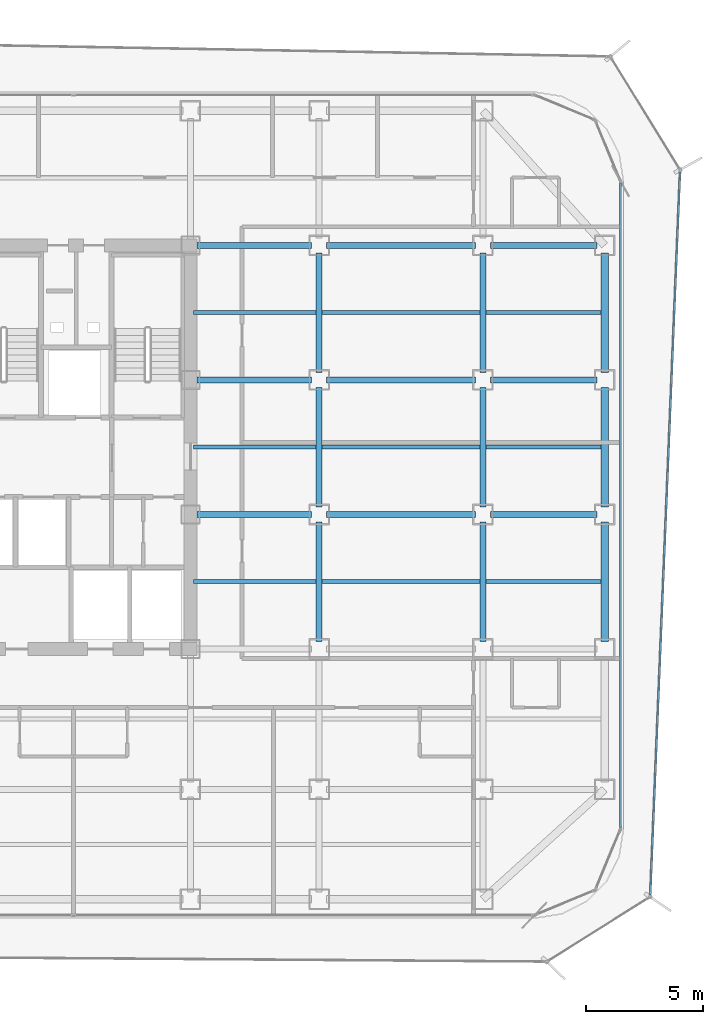
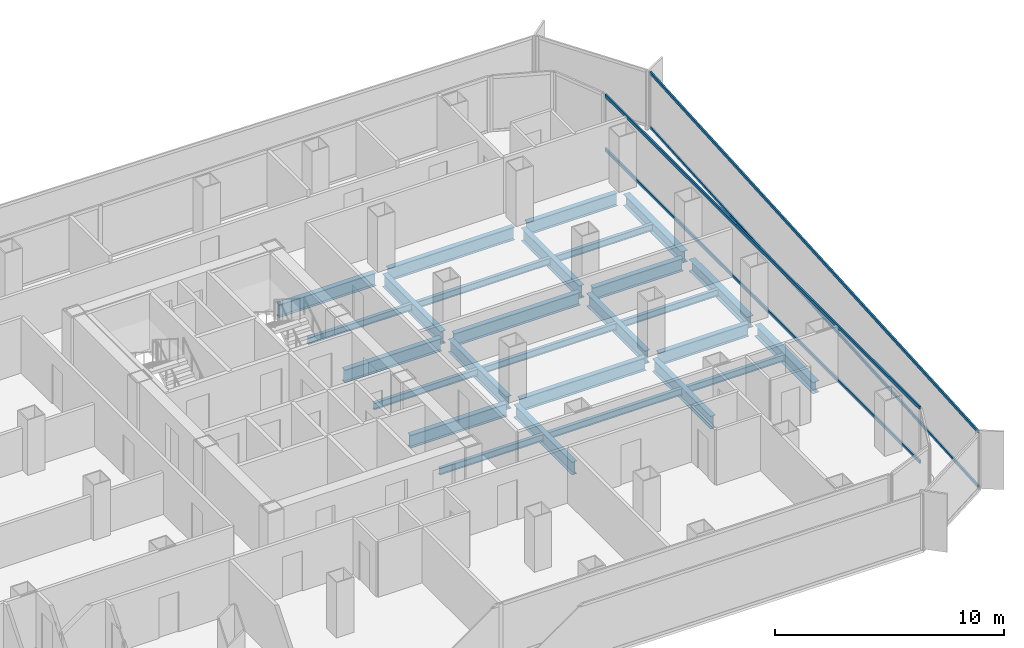
# One storey, part 9 of 21: 27 beams, 4 members, 2 elements without a shape of their own.
"""IFC4 building model written with IfcOpenShell, lengths in metres."""

from ifc_helpers import new_model, si_unit, direction, frame, origin, origin_2d, place, context, subcontext, project, spatial, hollow_rectangle, i_section, extrude, source, transform, mapped, material, layer, layer_set, material_profile, profile_set, type_object, element, aggregate, save


model = new_model("IFC4")

# Units and contexts
model_context = context("Model", 3, precision=1e-05, world=origin(), true_north=direction((0.0, 1.0)))
body_context = subcontext(model_context, "Body", "Model", "MODEL_VIEW")
ifc_project = project(units=[si_unit("LENGTHUNIT", "METRE"), si_unit("AREAUNIT", "SQUARE_METRE"), si_unit("VOLUMEUNIT", "CUBIC_METRE"), si_unit("PLANEANGLEUNIT", "RADIAN"), si_unit("MASSUNIT", "GRAM", prefix="KILO")], contexts=[model_context])

# Site, building, storey
site_placement = place(None, origin())
site = spatial("IfcSite", under=ifc_project, at=site_placement, CompositionType="ELEMENT")
building_placement = place(site_placement, origin())
building = spatial("IfcBuilding", under=site, at=building_placement, Name="Kolveth Station Tower", CompositionType="ELEMENT")
storey_placement = place(building_placement, frame((0.0, 0.0, 105.5)))
storey = spatial("IfcBuildingStorey", under=building, at=storey_placement, Name="L28", CompositionType="ELEMENT", Elevation=105.5)

# Beams
ifc_material_1 = material(Name="Steel S355", Category="steel")
ifc_material_profile_1 = material_profile(ifc_material_1, i_section(OverallWidth=0.323974609375, OverallDepth=0.611083984375, WebThickness=0.0126953125, FlangeThickness=0.01904296875, at=origin_2d()), Name="W610x155")
ifc_profile_set_1 = profile_set([ifc_material_profile_1], Name="Steel S355")
beam_type_1 = type_object("IfcBeamType", Name="Beam_SP2", PredefinedType="SPANDREL", material=ifc_profile_set_1)
shared_shape_1 = source(origin(), body_context, "Body", "SweptSolid", [
    extrude(i_section(OverallWidth=0.323974609375, OverallDepth=0.611083984375, WebThickness=0.0126953125, FlangeThickness=0.01904296875, at=origin_2d()), origin(), (0.0, 0.0, 1.0), 5.10986328125),
])
for number, where, z_axis, x_axis, name in (
    (1, (46.199951171875, 11.820068359375, -0.555419921875), (0.0, 1.0, 0.0), (-1.0, 0.0, 0.0), "L28 Perimeter Spandrel BM-L28-PE-2"),
    (2, (46.199951171875, 17.570068359375, -0.555419921875), (0.0, 1.0, 0.0), (-1.0, 0.0, 0.0), "L28 Perimeter Spandrel BM-L28-PE-3"),
    (3, (46.199951171875, 23.320068359375, -0.555419921875), (0.0, 1.0, 0.0), (-1.0, 0.0, 0.0), "L28 Perimeter Spandrel BM-L28-PE-4"),
):
    element("IfcBeam", number, at=place(storey_placement, frame(where, z_axis=z_axis, x_axis=x_axis)), inside=storey, type_object=beam_type_1, Name=name, PredefinedType="SPANDREL", context=body_context, shape_type="MappedRepresentation", body=[
        mapped(shared_shape_1, transform((0.0, 0.0, 0.0), x_axis=(1.0, 0.0, 0.0), y_axis=(0.0, 1.0, 0.0), z_axis=(0.0, 0.0, 1.0), scale=1.0)),
    ])
ifc_material_profile_2 = material_profile(ifc_material_1, i_section(OverallWidth=0.25390625, OverallDepth=0.68798828125, WebThickness=0.01318359375, FlangeThickness=0.02099609375, at=origin_2d()), Name="W690x152")
ifc_profile_set_2 = profile_set([ifc_material_profile_2], Name="Steel S355")
beam_type_2 = type_object("IfcBeamType", Name="Beam_B4", PredefinedType="BEAM", material=ifc_profile_set_2)
shared_shape_2 = source(origin(), body_context, "Body", "SweptSolid", [
    extrude(i_section(OverallWidth=0.25390625, OverallDepth=0.68798828125, WebThickness=0.01318359375, FlangeThickness=0.02099609375, at=origin_2d()), origin(), (0.0, 0.0, 1.0), 4.559814453125),
])
for number, where, z_axis, x_axis, name in (
    (4, (41.320068359375, 17.25, -0.593994140625), (1.0, 0.0, 0.0), (0.0, 1.0, 0.0), "L28 Primary Girder BM-L28-GY172-7"),
    (5, (41.320068359375, 23.0, -0.593994140625), (1.0, 0.0, 0.0), (0.0, 1.0, 0.0), "L28 Primary Girder BM-L28-GY230-7"),
    (6, (41.320068359375, 28.75, -0.593994140625), (1.0, 0.0, 0.0), (0.0, 1.0, 0.0), "L28 Primary Girder BM-L28-GY287-7"),
):
    element("IfcBeam", number, at=place(storey_placement, frame(where, z_axis=z_axis, x_axis=x_axis)), inside=storey, type_object=beam_type_2, Name=name, PredefinedType="BEAM", context=body_context, shape_type="MappedRepresentation", body=[
        mapped(shared_shape_2, transform((0.0, 0.0, 0.0), x_axis=(1.0, 0.0, 0.0), y_axis=(0.0, 1.0, 0.0), z_axis=(0.0, 0.0, 1.0), scale=1.0)),
    ])
shared_shape_3 = source(origin(), body_context, "Body", "SweptSolid", [
    extrude(i_section(OverallWidth=0.25390625, OverallDepth=0.68798828125, WebThickness=0.01318359375, FlangeThickness=0.02099609375, at=origin_2d()), origin(), (0.0, 0.0, 1.0), 6.35986328125),
])
for number, where, z_axis, x_axis, name in (
    (7, (34.320068359375, 17.25, -0.593994140625), (1.0, 0.0, 0.0), (0.0, 1.0, 0.0), "L28 Primary Girder BM-L28-GY172-6"),
    (8, (34.320068359375, 23.0, -0.593994140625), (1.0, 0.0, 0.0), (0.0, 1.0, 0.0), "L28 Primary Girder BM-L28-GY230-6"),
    (9, (34.320068359375, 28.75, -0.593994140625), (1.0, 0.0, 0.0), (0.0, 1.0, 0.0), "L28 Primary Girder BM-L28-GY287-6"),
):
    element("IfcBeam", number, at=place(storey_placement, frame(where, z_axis=z_axis, x_axis=x_axis)), inside=storey, type_object=beam_type_2, Name=name, PredefinedType="BEAM", context=body_context, shape_type="MappedRepresentation", body=[
        mapped(shared_shape_3, transform((0.0, 0.0, 0.0), x_axis=(1.0, 0.0, 0.0), y_axis=(0.0, 1.0, 0.0), z_axis=(0.0, 0.0, 1.0), scale=1.0)),
    ])
shared_shape_4 = source(origin(), body_context, "Body", "SweptSolid", [
    extrude(i_section(OverallWidth=0.25390625, OverallDepth=0.68798828125, WebThickness=0.01318359375, FlangeThickness=0.02099609375, at=origin_2d()), origin(), (0.0, 0.0, 1.0), 4.89990234375),
])
for number, where, z_axis, x_axis, name in (
    (10, (28.780029296875, 17.25, -0.593994140625), (1.0, 0.0, 0.0), (0.0, 1.0, 0.0), "L28 Primary Girder BM-L28-GY172-5"),
    (11, (28.780029296875, 23.0, -0.593994140625), (1.0, 0.0, 0.0), (0.0, 1.0, 0.0), "L28 Primary Girder BM-L28-GY230-5"),
    (12, (28.780029296875, 28.75, -0.593994140625), (1.0, 0.0, 0.0), (0.0, 1.0, 0.0), "L28 Primary Girder BM-L28-GY287-5"),
):
    element("IfcBeam", number, at=place(storey_placement, frame(where, z_axis=z_axis, x_axis=x_axis)), inside=storey, type_object=beam_type_2, Name=name, PredefinedType="BEAM", context=body_context, shape_type="MappedRepresentation", body=[
        mapped(shared_shape_4, transform((0.0, 0.0, 0.0), x_axis=(1.0, 0.0, 0.0), y_axis=(0.0, 1.0, 0.0), z_axis=(0.0, 0.0, 1.0), scale=1.0)),
    ])
shared_shape_5 = source(origin(), body_context, "Body", "SweptSolid", [
    extrude(i_section(OverallWidth=0.25390625, OverallDepth=0.68798828125, WebThickness=0.01318359375, FlangeThickness=0.02099609375, at=origin_2d()), origin(), (0.0, 0.0, 1.0), 5.10986328125),
])
for number, where, z_axis, x_axis, name in (
    (13, (34.0, 11.820068359375, -0.593994140625), (0.0, 1.0, 0.0), (-1.0, 0.0, 0.0), "L28 Primary Girder BM-L28-GX340-3"),
    (14, (34.0, 17.570068359375, -0.593994140625), (0.0, 1.0, 0.0), (-1.0, 0.0, 0.0), "L28 Primary Girder BM-L28-GX340-4"),
    (15, (34.0, 23.320068359375, -0.593994140625), (0.0, 1.0, 0.0), (-1.0, 0.0, 0.0), "L28 Primary Girder BM-L28-GX340-5"),
    (16, (41.0, 11.820068359375, -0.593994140625), (0.0, 1.0, 0.0), (-1.0, 0.0, 0.0), "L28 Primary Girder BM-L28-GX410-3"),
    (17, (41.0, 17.570068359375, -0.593994140625), (0.0, 1.0, 0.0), (-1.0, 0.0, 0.0), "L28 Primary Girder BM-L28-GX410-4"),
    (18, (41.0, 23.320068359375, -0.593994140625), (0.0, 1.0, 0.0), (-1.0, 0.0, 0.0), "L28 Primary Girder BM-L28-GX410-5"),
):
    element("IfcBeam", number, at=place(storey_placement, frame(where, z_axis=z_axis, x_axis=x_axis)), inside=storey, type_object=beam_type_2, Name=name, PredefinedType="BEAM", context=body_context, shape_type="MappedRepresentation", body=[
        mapped(shared_shape_5, transform((0.0, 0.0, 0.0), x_axis=(1.0, 0.0, 0.0), y_axis=(0.0, 1.0, 0.0), z_axis=(0.0, 0.0, 1.0), scale=1.0)),
    ])
ifc_material_profile_3 = material_profile(ifc_material_1, i_section(OverallWidth=0.1708984375, OverallDepth=0.35205078125, WebThickness=0.0068359375, FlangeThickness=0.009765625, at=origin_2d()), Name="W360x44")
ifc_profile_set_3 = profile_set([ifc_material_profile_3], Name="Steel S355")
beam_type_3 = type_object("IfcBeamType", Name="Beam_J2", PredefinedType="JOIST", material=ifc_profile_set_3)
shared_shape_6 = source(origin(), body_context, "Body", "SweptSolid", [
    extrude(i_section(OverallWidth=0.1708984375, OverallDepth=0.35205078125, WebThickness=0.0068359375, FlangeThickness=0.009765625, at=origin_2d()), origin(), (0.0, 0.0, 1.0), 4.9150390625),
])
for number, where, z_axis, x_axis, name in (
    (19, (41.125, 14.375, -0.426025390625), (1.0, 0.0, 0.0), (0.0, 1.0, 0.0), "L28 Secondary Joist JST-L28-7-3"),
    (20, (41.125, 20.125, -0.426025390625), (1.0, 0.0, 0.0), (0.0, 1.0, 0.0), "L28 Secondary Joist JST-L28-7-4"),
    (21, (41.125, 25.875, -0.426025390625), (1.0, 0.0, 0.0), (0.0, 1.0, 0.0), "L28 Secondary Joist JST-L28-7-5"),
):
    element("IfcBeam", number, at=place(storey_placement, frame(where, z_axis=z_axis, x_axis=x_axis)), inside=storey, type_object=beam_type_3, Name=name, PredefinedType="JOIST", context=body_context, shape_type="MappedRepresentation", body=[
        mapped(shared_shape_6, transform((0.0, 0.0, 0.0), x_axis=(1.0, 0.0, 0.0), y_axis=(0.0, 1.0, 0.0), z_axis=(0.0, 0.0, 1.0), scale=1.0)),
    ])
shared_shape_7 = source(origin(), body_context, "Body", "SweptSolid", [
    extrude(i_section(OverallWidth=0.1708984375, OverallDepth=0.35205078125, WebThickness=0.0068359375, FlangeThickness=0.009765625, at=origin_2d()), origin(), (0.0, 0.0, 1.0), 6.75),
])
for number, where, z_axis, x_axis, name in (
    (22, (34.125, 14.375, -0.426025390625), (1.0, 0.0, 0.0), (0.0, 1.0, 0.0), "L28 Secondary Joist JST-L28-6-3"),
    (23, (34.125, 20.125, -0.426025390625), (1.0, 0.0, 0.0), (0.0, 1.0, 0.0), "L28 Secondary Joist JST-L28-6-4"),
    (24, (34.125, 25.875, -0.426025390625), (1.0, 0.0, 0.0), (0.0, 1.0, 0.0), "L28 Secondary Joist JST-L28-6-5"),
):
    element("IfcBeam", number, at=place(storey_placement, frame(where, z_axis=z_axis, x_axis=x_axis)), inside=storey, type_object=beam_type_3, Name=name, PredefinedType="JOIST", context=body_context, shape_type="MappedRepresentation", body=[
        mapped(shared_shape_7, transform((0.0, 0.0, 0.0), x_axis=(1.0, 0.0, 0.0), y_axis=(0.0, 1.0, 0.0), z_axis=(0.0, 0.0, 1.0), scale=1.0)),
    ])
shared_shape_8 = source(origin(), body_context, "Body", "SweptSolid", [
    extrude(i_section(OverallWidth=0.1708984375, OverallDepth=0.35205078125, WebThickness=0.0068359375, FlangeThickness=0.009765625, at=origin_2d()), origin(), (0.0, 0.0, 1.0), 5.25),
])
for number, where, z_axis, x_axis, name in (
    (25, (28.625, 14.375, -0.426025390625), (1.0, 0.0, 0.0), (0.0, 1.0, 0.0), "L28 Secondary Joist JST-L28-5-3"),
    (26, (28.625, 20.125, -0.426025390625), (1.0, 0.0, 0.0), (0.0, 1.0, 0.0), "L28 Secondary Joist JST-L28-5-4"),
    (27, (28.625, 25.875, -0.426025390625), (1.0, 0.0, 0.0), (0.0, 1.0, 0.0), "L28 Secondary Joist JST-L28-5-5"),
):
    element("IfcBeam", number, at=place(storey_placement, frame(where, z_axis=z_axis, x_axis=x_axis)), inside=storey, type_object=beam_type_3, Name=name, PredefinedType="JOIST", context=body_context, shape_type="MappedRepresentation", body=[
        mapped(shared_shape_8, transform((0.0, 0.0, 0.0), x_axis=(1.0, 0.0, 0.0), y_axis=(0.0, 1.0, 0.0), z_axis=(0.0, 0.0, 1.0), scale=1.0)),
    ])

# Curtain wall, members
ifc_material_2 = material(Name="Aluminium 6063-T6 and low-E dark glass", Category="aluminium")
ifc_layer_1 = layer(ifc_material_2, 0.18994140625)
ifc_layer_set_1 = layer_set([ifc_layer_1], Name="Aluminium 6063-T6 and low-E dark glass")
curtain_wall_type_1 = type_object("IfcCurtainWallType", Name="CurtainWall_CW-Z2", PredefinedType="NOTDEFINED", material=ifc_layer_set_1)
curtain_wall_1_placement = place(storey_placement, origin())
curtain_wall_1 = element("IfcCurtainWall", 28, at=curtain_wall_1_placement, inside=storey, type_object=curtain_wall_type_1, Name="L28 Inner Thermal Curtain Wall 3", PredefinedType="NOTDEFINED")
ifc_material_3 = material(Name="Black anodized aluminium 6063-T6", Category="aluminium")
ifc_material_profile_4 = material_profile(ifc_material_3, hollow_rectangle(XDim=0.080078125, YDim=0.169921875, WallThickness=0.0048828125, at=origin_2d()), Name="ALU-80x170x5")
ifc_profile_set_4 = profile_set([ifc_material_profile_4], Name="Black anodized aluminium 6063-T6")
member_type_1 = type_object("IfcMemberType", Name="Transom_TR2", PredefinedType="USERDEFINED", material=ifc_profile_set_4)
shared_shape_9 = source(origin(), body_context, "Body", "SweptSolid", [
    extrude(hollow_rectangle(XDim=0.080078125, YDim=0.169921875, WallThickness=0.0048828125, at=origin_2d()), origin(), (0.0, 0.0, 1.0), 27.5400390625),
])
member_1_placement = place(storey_placement, frame((46.8798828125, 3.8798828125, 0.0400390625), z_axis=(0.0, 1.0, 0.0), x_axis=(-1.0, 0.0, 0.0)))
member_1 = element("IfcMember", 29, at=member_1_placement, type_object=member_type_1, Name="CW-Z2 transom 1.1", ObjectType="TRANSOM", PredefinedType="USERDEFINED", context=body_context, shape_type="MappedRepresentation", body=[
    mapped(shared_shape_9, transform((0.0, 0.0, 0.0), x_axis=(1.0, 0.0, 0.0), y_axis=(0.0, 1.0, 0.0), z_axis=(0.0, 0.0, 1.0), scale=1.0)),
])
member_2_placement = place(storey_placement, frame((46.8798828125, 3.8798828125, 2.909912109375), z_axis=(0.0, 1.0, 0.0), x_axis=(-1.0, 0.0, 0.0)))
member_2 = element("IfcMember", 30, at=member_2_placement, type_object=member_type_1, Name="CW-Z2 transom 1.2", ObjectType="TRANSOM", PredefinedType="USERDEFINED", context=body_context, shape_type="MappedRepresentation", body=[
    mapped(shared_shape_9, transform((0.0, 0.0, 0.0), x_axis=(1.0, 0.0, 0.0), y_axis=(0.0, 1.0, 0.0), z_axis=(0.0, 0.0, 1.0), scale=1.0)),
])
aggregate(curtain_wall_1, [member_1, member_2])

ifc_material_4 = material(Name="Black anodized aluminium 6063-T6 and dark solar glass", Category="aluminium")
ifc_layer_2 = layer(ifc_material_4, 0.159912109375)
ifc_layer_set_2 = layer_set([ifc_layer_2], Name="Black anodized aluminium 6063-T6 and dark solar glass")
curtain_wall_type_2 = type_object("IfcCurtainWallType", Name="OUTER SKIN CW-OS", PredefinedType="NOTDEFINED", material=ifc_layer_set_2)
curtain_wall_2_placement = place(storey_placement, origin())
curtain_wall_2 = element("IfcCurtainWall", 31, at=curtain_wall_2_placement, inside=storey, type_object=curtain_wall_type_2, Name="L28 Outer Ventilated Skin Curtain Wall 2", PredefinedType="NOTDEFINED")
ifc_material_profile_5 = material_profile(ifc_material_3, hollow_rectangle(XDim=0.080078125, YDim=0.14990234375, WallThickness=0.0048828125, at=origin_2d()), Name="ALU-80x150x5")
ifc_profile_set_5 = profile_set([ifc_material_profile_5], Name="Black anodized aluminium 6063-T6")
member_type_2 = type_object("IfcMemberType", Name="Transom_TR-OS", PredefinedType="USERDEFINED", material=ifc_profile_set_5)
shared_shape_10 = source(origin(), body_context, "Body", "SweptSolid", [
    extrude(hollow_rectangle(XDim=0.080078125, YDim=0.14990234375, WallThickness=0.0048828125, at=origin_2d()), origin(), (0.0, 0.0, 1.0), 30.927978515625),
])
member_3_placement = place(storey_placement, frame((48.15380859375, 0.993896484375, 0.0400390625), z_axis=(0.041126866405, 0.999153932515, 0.0), x_axis=(-0.999153932515, 0.041126866405, 0.0)))
member_3 = element("IfcMember", 32, at=member_3_placement, type_object=member_type_2, Name="CW-OS transom 1.1", ObjectType="TRANSOM", PredefinedType="USERDEFINED", context=body_context, shape_type="MappedRepresentation", body=[
    mapped(shared_shape_10, transform((0.0, 0.0, 0.0), x_axis=(1.0, 0.0, 0.0), y_axis=(0.0, 1.0, 0.0), z_axis=(0.0, 0.0, 1.0), scale=1.0)),
])
member_4_placement = place(storey_placement, frame((48.15380859375, 0.993896484375, 2.949951171875), z_axis=(0.041126866405, 0.999153932515, 0.0), x_axis=(-0.999153932515, 0.041126866405, 0.0)))
member_4 = element("IfcMember", 33, at=member_4_placement, type_object=member_type_2, Name="CW-OS transom 1.2", ObjectType="TRANSOM", PredefinedType="USERDEFINED", context=body_context, shape_type="MappedRepresentation", body=[
    mapped(shared_shape_10, transform((0.0, 0.0, 0.0), x_axis=(1.0, 0.0, 0.0), y_axis=(0.0, 1.0, 0.0), z_axis=(0.0, 0.0, 1.0), scale=1.0)),
])
aggregate(curtain_wall_2, [member_3, member_4])

save(model, "model.ifc")
